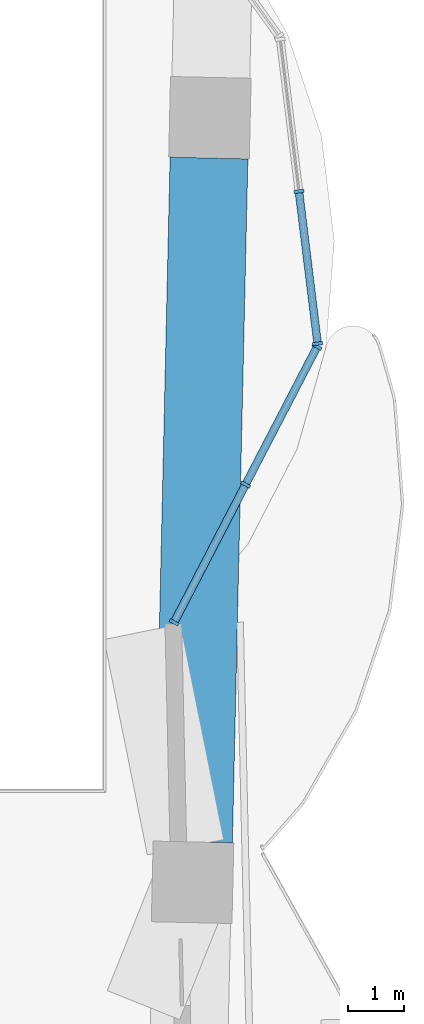
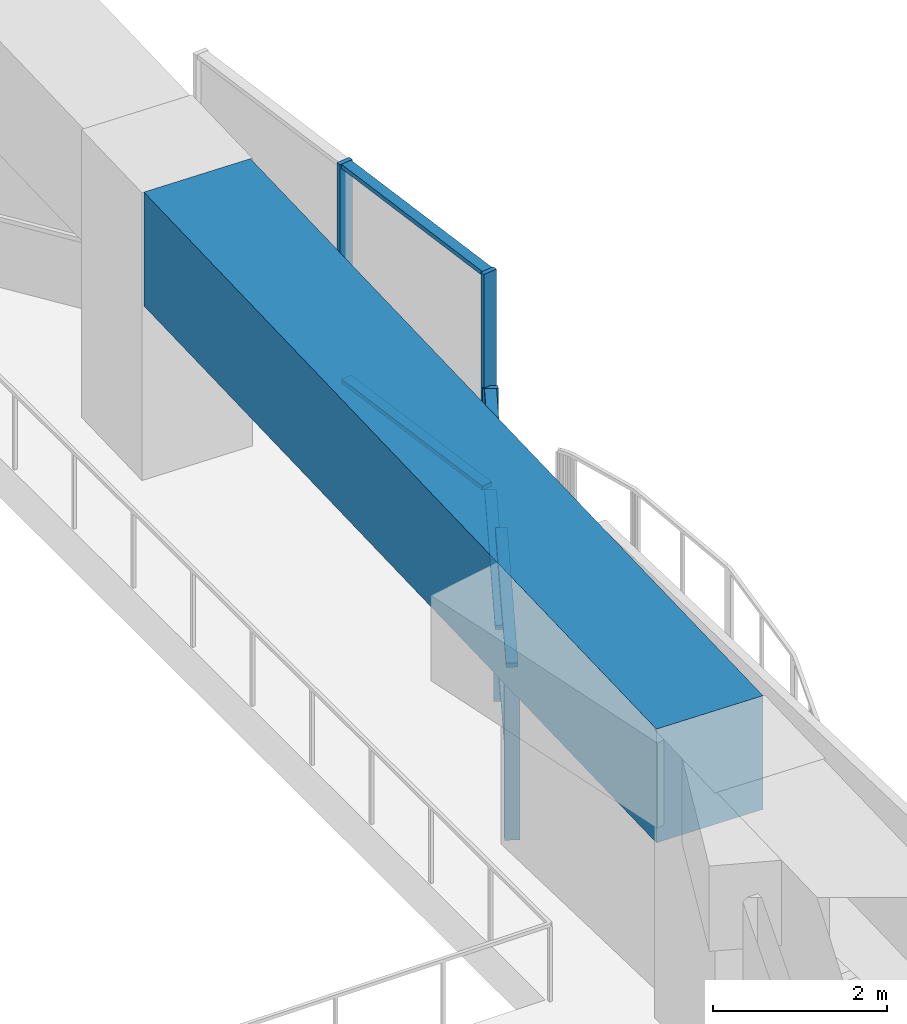
# One storey, part 4 of 20: 11 members, 1 beam, 2 elements without a shape of their own.
"""IFC4 building model written with IfcOpenShell, lengths in metres."""

import ifcopenshell
import ifcopenshell.guid

model = None  # the IFC model being written
_history = None  # IfcOwnerHistory: only IFC2X3 demands one
_inside = {}  # id of a spatial element -> (the spatial element, [elements in it])
_under = {}  # id of a project, library or spatial element -> (it, [spatial elements below it])
_declared = {}  # id of a project -> (the project, [libraries it declares])
_typed = {}  # id of a type object -> (the type object, [elements of that type])
_made_of = {}  # id of a material, layer set ... -> (it, [elements and type objects made of it])


def new_model(schema):
    """Start an empty IFC model of exactly this schema.

    Asked for "IFC4X3", IfcOpenShell would pick the latest addendum, in which some entities
    have other attributes; the version numbers below select the first issue.
    IFC2X3 requires an IfcOwnerHistory on every rooted entity: one is made here for all.
    """
    global model, _history
    if schema == "IFC4X3":
        model = ifcopenshell.file(schema_version=(4, 3, 0, 0))
    else:
        model = ifcopenshell.file(schema=schema)
    _inside.clear()
    _under.clear()
    _declared.clear()
    _typed.clear()
    _made_of.clear()
    _history = None
    if model.schema == "IFC2X3":
        org = make("IfcOrganization", Name="unknown")
        user = make(
            "IfcPersonAndOrganization",
            ThePerson=make("IfcPerson", FamilyName="unknown"),
            TheOrganization=org,
        )
        app = make(
            "IfcApplication",
            ApplicationDeveloper=org,
            Version="unknown",
            ApplicationFullName="unknown",
            ApplicationIdentifier="unknown",
        )
        _history = make(
            "IfcOwnerHistory",
            OwningUser=user,
            OwningApplication=app,
            ChangeAction="ADDED",
            CreationDate=0,
        )
    return model


def make(cls, **values):
    """One entity of the class cls with the attributes given. An attribute that is None is left unset."""
    return model.create_entity(
        cls, **{name: value for name, value in values.items() if value is not None}
    )


def rooted(cls, **values):
    """An entity with a GlobalId (a new one), such as an element, a storey or a relation."""
    return make(cls, GlobalId=ifcopenshell.guid.new(), OwnerHistory=_history, **values)


def si_unit(unit_type, name, prefix=None):
    """IfcSIUnit, for example si_unit("LENGTHUNIT", "METRE", prefix="MILLI")."""
    return make("IfcSIUnit", UnitType=unit_type, Prefix=prefix, Name=name)


def assignment(units):
    """IfcUnitAssignment: the units of a project."""
    return None if units is None else make("IfcUnitAssignment", Units=units)


def point(xyz):
    """IfcCartesianPoint."""
    return None if xyz is None else make("IfcCartesianPoint", Coordinates=xyz)


def direction(xyz):
    """IfcDirection."""
    return None if xyz is None else make("IfcDirection", DirectionRatios=xyz)


def frame(location, z_axis=None, x_axis=None):
    """IfcAxis2Placement3D, a coordinate frame: its origin and axes. An axis left out is left unset."""
    return make(
        "IfcAxis2Placement3D",
        Location=point(location),
        Axis=direction(z_axis),
        RefDirection=direction(x_axis),
    )


def frame_2d(location, x_axis=None):
    """IfcAxis2Placement2D, a coordinate frame in the plane: its origin and x axis."""
    return make(
        "IfcAxis2Placement2D", Location=point(location), RefDirection=direction(x_axis)
    )


def origin():
    """The frame at (0, 0, 0) with its axes left unset."""
    return frame((0.0, 0.0, 0.0))


def origin_2d():
    """The frame at (0, 0) in the plane with its x axis left unset."""
    return frame_2d((0.0, 0.0))


def place(relative_to, where):
    """IfcLocalPlacement: puts the frame where relative to a parent placement (None: the world)."""
    return make(
        "IfcLocalPlacement", PlacementRelTo=relative_to, RelativePlacement=where
    )


def context(
    kind, dimensions, precision=None, world=None, true_north=None, identifier=None
):
    """IfcGeometricRepresentationContext, for example the 3D "Model" context."""
    return make(
        "IfcGeometricRepresentationContext",
        ContextIdentifier=identifier,
        ContextType=kind,
        CoordinateSpaceDimension=dimensions,
        Precision=precision,
        WorldCoordinateSystem=world,
        TrueNorth=true_north,
    )


def subcontext(parent, identifier, kind, view, scale=None):
    """IfcGeometricRepresentationSubContext, for example "Body" below "Model"."""
    return make(
        "IfcGeometricRepresentationSubContext",
        ContextIdentifier=identifier,
        ContextType=kind,
        ParentContext=parent,
        TargetScale=scale,
        TargetView=view,
    )


def project(units=None, contexts=None):
    """IfcProject with its units and contexts."""
    return rooted(
        "IfcProject",
        Name="project",
        RepresentationContexts=contexts,
        UnitsInContext=assignment(units),
    )


def spatial(cls, under=None, at=None, **own):
    """A site, building, storey or space (cls), placed at a placement, below another one or the project."""
    s = rooted(cls, ObjectPlacement=at, **own)
    if under is not None:
        _under.setdefault(under.id(), (under, []))[1].append(s)
    return s


def profile(cls, at=None, kind="AREA", **sizes):
    """A parametric profile (cls). Its sizes go by their IFC names, for example OverallWidth=200.0."""
    return make(cls, ProfileType=kind, Position=at, **sizes)


def rectangle(**sizes):
    """IfcRectangleProfileDef."""
    return profile("IfcRectangleProfileDef", **sizes)


def extrude(swept, where, along, depth):
    """IfcExtrudedAreaSolid: the profile swept, set in the frame where, extruded along a direction by depth."""
    return make(
        "IfcExtrudedAreaSolid",
        SweptArea=swept,
        Position=where,
        ExtrudedDirection=direction(along),
        Depth=depth,
    )


def shape(context_of_items, identifier, shape_type, items):
    """IfcShapeRepresentation: the items that make up one representation, for example the "Body"."""
    return make(
        "IfcShapeRepresentation",
        ContextOfItems=context_of_items,
        RepresentationIdentifier=identifier,
        RepresentationType=shape_type,
        Items=items,
    )


def material(Name=None, Category=None):
    """IfcMaterial."""
    return make("IfcMaterial", Name=Name, Category=Category)


def material_profile(
    of_material, cross_section, Name=None, Category=None, Priority=None
):
    """IfcMaterialProfile: a cross section and its material."""
    return make(
        "IfcMaterialProfile",
        Name=Name,
        Material=of_material,
        Profile=cross_section,
        Priority=Priority,
        Category=Category,
    )


def profile_set(profiles, Name=None, composite=None):
    """IfcMaterialProfileSet."""
    return make(
        "IfcMaterialProfileSet",
        Name=Name,
        MaterialProfiles=profiles,
        CompositeProfile=composite,
    )


def made_of(thing, what):
    """Note that an element or type object is made of a material, layer set ...; save() writes the relation."""
    if what is not None:
        _made_of.setdefault(what.id(), (what, []))[1].append(thing)
    return thing


def type_object(cls, material=None, **own):
    """A type object (cls), such as IfcWallType, which elements share."""
    return made_of(rooted(cls, **own), material)


def element(
    cls,
    number,
    at=None,
    inside=None,
    cuts=None,
    type_object=None,
    material=None,
    context=None,
    identifier="Body",
    shape_type=None,
    held_by="IfcProductDefinitionShape",
    body=None,
    shapes=None,
    **own,
):
    """One element of the class cls, such as IfcWall. Its Tag is "e" and its number.

    at: its placement. inside: the storey or other place that contains it. cuts: it is an
    opening in that element (IfcRelVoidsElement). A single representation is given by context,
    identifier, shape_type and body (its items); several are given by shapes. held_by: the class
    of the entity that holds the representations. save() writes the other relations.
    """
    e = rooted(cls, Tag="e%d" % number, ObjectPlacement=at, **own)
    if body is not None:
        shapes = [shape(context, identifier, shape_type, body)]
    if shapes is not None:
        e.Representation = make(held_by, Representations=shapes)
    if inside is not None:
        _inside.setdefault(inside.id(), (inside, []))[1].append(e)
    if cuts is not None:
        rooted(
            "IfcRelVoidsElement", RelatingBuildingElement=cuts, RelatedOpeningElement=e
        )
    if type_object is not None:
        _typed.setdefault(type_object.id(), (type_object, []))[1].append(e)
    return made_of(e, material)


def aggregate(whole, parts):
    """IfcRelAggregates: a whole, such as a stair, and the parts it consists of."""
    return rooted("IfcRelAggregates", RelatingObject=whole, RelatedObjects=parts)


def save(model, path):
    """Write the relations noted so far, then the file.

    IfcRelAggregates (storeys below a building ...), IfcRelContainedInSpatialStructure (elements
    in a storey), IfcRelDefinesByType, IfcRelAssociatesMaterial and IfcRelDeclares: one each for
    every whole, place, type object, material and project.
    """
    for whole, parts in _under.values():
        aggregate(whole, parts)
    for where, things in _inside.values():
        rooted(
            "IfcRelContainedInSpatialStructure",
            RelatedElements=things,
            RelatingStructure=where,
        )
    for kind, things in _typed.values():
        rooted("IfcRelDefinesByType", RelatedObjects=things, RelatingType=kind)
    for what, things in _made_of.values():
        rooted("IfcRelAssociatesMaterial", RelatedObjects=things, RelatingMaterial=what)
    for by, libraries in _declared.values():
        rooted("IfcRelDeclares", RelatingContext=by, RelatedDefinitions=libraries)
    model.write(path)


model = new_model("IFC4")

# Units and contexts
model_context = context("Model", 3, precision=1e-05, world=origin(), true_north=direction((0.0, 1.0)))
body_context = subcontext(model_context, "Body", "Model", "MODEL_VIEW")
ifc_project = project(units=[si_unit("LENGTHUNIT", "METRE"), si_unit("AREAUNIT", "SQUARE_METRE"), si_unit("VOLUMEUNIT", "CUBIC_METRE"), si_unit("PLANEANGLEUNIT", "RADIAN"), si_unit("MASSUNIT", "GRAM", prefix="KILO")], contexts=[model_context])

# Site, building, storey
site_placement = place(None, origin())
site = spatial("IfcSite", under=ifc_project, at=site_placement, CompositionType="ELEMENT")
building_placement = place(site_placement, origin())
building = spatial("IfcBuilding", under=site, at=building_placement, Name="Mangrove Gate Tower", CompositionType="ELEMENT")
storey_placement = place(building_placement, frame((0.0, 0.0, 74.699951171875)))
storey = spatial("IfcBuildingStorey", under=building, at=storey_placement, Name="L18", CompositionType="ELEMENT", Elevation=74.699951171875)

# Curtain wall, members
ifc_material_1 = material(Name="Aluminium and glass curtain wall", Category="aluminium")
curtain_wall_type = type_object("IfcCurtainWallType", Name="Sky-lounge glazing wall", PredefinedType="NOTDEFINED", material=ifc_material_1)
curtain_wall_1_placement = place(storey_placement, origin())
curtain_wall_1 = element("IfcCurtainWall", 1, at=curtain_wall_1_placement, inside=storey, type_object=curtain_wall_type, Name="Sky-lounge glazing E1f1", PredefinedType="NOTDEFINED")
ifc_material_2 = material(Name="Aluminium alloy 6063-T6", Category="aluminium")
ifc_material_profile_1 = material_profile(ifc_material_2, rectangle(XDim=0.06005859375, YDim=0.179931640625, at=origin_2d()))
ifc_profile_set_1 = profile_set([ifc_material_profile_1], Name="Aluminium alloy 6063-T6")
member_type_1 = type_object("IfcMemberType", Name="Sky-lounge glazing mullion 60x180", PredefinedType="MULLION", material=ifc_profile_set_1)
member_1_placement = place(storey_placement, frame((29.947265625, -4.5029296875, 0.0), z_axis=(0.0, 0.0, 1.0), x_axis=(0.460628472605, 0.887593043137, 0.0)))
member_1 = element("IfcMember", 2, at=member_1_placement, type_object=member_type_1, Name="CWK mullion 1", PredefinedType="MULLION", context=body_context, shape_type="SweptSolid", body=[
    extrude(rectangle(XDim=0.06005859375, YDim=0.179931640625, at=origin_2d()), origin(), (0.0, 0.0, 1.0), 2.449951171875),
])
member_2_placement = place(storey_placement, frame((31.23291015625, -2.025634765625, 0.0), z_axis=(0.0, 0.0, 1.0), x_axis=(0.460628472605, 0.887593043137, 0.0)))
member_2 = element("IfcMember", 3, at=member_2_placement, type_object=member_type_1, Name="CWK mullion 2", PredefinedType="MULLION", context=body_context, shape_type="SweptSolid", body=[
    extrude(rectangle(XDim=0.06005859375, YDim=0.179931640625, at=origin_2d()), origin(), (0.0, 0.0, 1.0), 2.449951171875),
])
member_3_placement = place(storey_placement, frame((32.518310546875, 0.451416015625, 0.0), z_axis=(0.0, 0.0, 1.0), x_axis=(0.460628472605, 0.887593043137, 0.0)))
member_3 = element("IfcMember", 4, at=member_3_placement, type_object=member_type_1, Name="CWK mullion 3", PredefinedType="MULLION", context=body_context, shape_type="SweptSolid", body=[
    extrude(rectangle(XDim=0.06005859375, YDim=0.179931640625, at=origin_2d()), origin(), (0.0, 0.0, 1.0), 2.449951171875),
])

curtain_wall_2_placement = place(storey_placement, origin())
curtain_wall_2 = element("IfcCurtainWall", 5, at=curtain_wall_2_placement, inside=storey, type_object=curtain_wall_type, Name="Sky-lounge glazing E1f2", PredefinedType="NOTDEFINED")
member_4_placement = place(storey_placement, frame((32.528564453125, 0.5078125, 0.0), z_axis=(0.0, 0.0, 1.0), x_axis=(-0.122172286076, 0.992508908028, 0.0)))
member_4 = element("IfcMember", 6, at=member_4_placement, type_object=member_type_1, Name="CWK mullion 1", PredefinedType="MULLION", context=body_context, shape_type="SweptSolid", body=[
    extrude(rectangle(XDim=0.06005859375, YDim=0.179931640625, at=origin_2d()), origin(), (0.0, 0.0, 1.0), 4.050048828125),
])
member_5_placement = place(storey_placement, frame((32.19189453125, 3.243896484375, 0.0), z_axis=(0.0, 0.0, 1.0), x_axis=(-0.122172286076, 0.992508908028, 0.0)))
member_5 = element("IfcMember", 7, at=member_5_placement, type_object=member_type_1, Name="CWK mullion 2", PredefinedType="MULLION", context=body_context, shape_type="SweptSolid", body=[
    extrude(rectangle(XDim=0.06005859375, YDim=0.179931640625, at=origin_2d()), origin(), (0.0, 0.0, 1.0), 4.050048828125),
])

# Member
ifc_material_3 = material(Name="Aluminium alloy 6063-T6", Category="aluminium")
ifc_material_profile_2 = material_profile(ifc_material_3, rectangle(XDim=0.06005859375, YDim=0.139892578125, at=origin_2d()))
ifc_profile_set_2 = profile_set([ifc_material_profile_2], Name="Aluminium alloy 6063-T6")
member_type_2 = type_object("IfcMemberType", Name="Sky-lounge glazing transom 60x140", PredefinedType="USERDEFINED", material=ifc_profile_set_2)
member_6_placement = place(storey_placement, frame((29.961181640625, -4.476318359375, 1.0), z_axis=(0.460572868836, 0.887621897258, 0.0), x_axis=(0.0, 0.0, 1.0)))
member_6 = element("IfcMember", 8, at=member_6_placement, type_object=member_type_2, Name="CWK transom 1.2", ObjectType="TRANSOM", PredefinedType="USERDEFINED", context=body_context, shape_type="SweptSolid", body=[
    extrude(rectangle(XDim=0.06005859375, YDim=0.139892578125, at=origin_2d()), origin(), (0.0, 0.0, 1.0), 2.73095703125),
])

member_7_placement = place(storey_placement, frame((29.961181640625, -4.476318359375, 2.420166015625), z_axis=(0.460572868836, 0.887621897258, 0.0), x_axis=(0.0, 0.0, 1.0)))
member_7 = element("IfcMember", 9, at=member_7_placement, type_object=member_type_2, Name="CWK transom 1.3", ObjectType="TRANSOM", PredefinedType="USERDEFINED", context=body_context, shape_type="SweptSolid", body=[
    extrude(rectangle(XDim=0.06005859375, YDim=0.139892578125, at=origin_2d()), origin(), (0.0, 0.0, 1.0), 2.73095703125),
])

member_8_placement = place(storey_placement, frame((31.24658203125, -1.9990234375, 1.0), z_axis=(0.460679849709, 0.887566378403, 0.0), x_axis=(0.0, 0.0, 1.0)))
member_8 = element("IfcMember", 10, at=member_8_placement, type_object=member_type_2, Name="CWK transom 2.2", ObjectType="TRANSOM", PredefinedType="USERDEFINED", context=body_context, shape_type="SweptSolid", body=[
    extrude(rectangle(XDim=0.06005859375, YDim=0.139892578125, at=origin_2d()), origin(), (0.0, 0.0, 1.0), 2.73095703125),
])

member_9_placement = place(storey_placement, frame((31.24658203125, -1.9990234375, 2.420166015625), z_axis=(0.460679849709, 0.887566378403, 0.0), x_axis=(0.0, 0.0, 1.0)))
member_9 = element("IfcMember", 11, at=member_9_placement, type_object=member_type_2, Name="CWK transom 2.3", ObjectType="TRANSOM", PredefinedType="USERDEFINED", context=body_context, shape_type="SweptSolid", body=[
    extrude(rectangle(XDim=0.06005859375, YDim=0.139892578125, at=origin_2d()), origin(), (0.0, 0.0, 1.0), 2.73095703125),
])

aggregate(curtain_wall_1, [member_1, member_2, member_3, member_6, member_7, member_8, member_9])

member_10_placement = place(storey_placement, frame((32.52490234375, 0.53759765625, 1.0), z_axis=(-0.122129132669, 0.992514219018, 0.0), x_axis=(0.0, 0.0, 1.0)))
member_10 = element("IfcMember", 12, at=member_10_placement, type_object=member_type_2, Name="CWK transom 1.2", ObjectType="TRANSOM", PredefinedType="USERDEFINED", context=body_context, shape_type="SweptSolid", body=[
    extrude(rectangle(XDim=0.06005859375, YDim=0.139892578125, at=origin_2d()), origin(), (0.0, 0.0, 1.0), 2.69677734375),
])

member_11_placement = place(storey_placement, frame((32.52490234375, 0.53759765625, 4.02001953125), z_axis=(-0.122129132669, 0.992514219018, 0.0), x_axis=(0.0, 0.0, 1.0)))
member_11 = element("IfcMember", 13, at=member_11_placement, type_object=member_type_2, Name="CWK transom 1.3", ObjectType="TRANSOM", PredefinedType="USERDEFINED", context=body_context, shape_type="SweptSolid", body=[
    extrude(rectangle(XDim=0.06005859375, YDim=0.139892578125, at=origin_2d()), origin(), (0.0, 0.0, 1.0), 2.69677734375),
])

aggregate(curtain_wall_2, [member_4, member_5, member_10, member_11])

# Beam
ifc_material_4 = material(Name="Concrete C70/85", Category="concrete")
ifc_material_profile_3 = material_profile(ifc_material_4, rectangle(XDim=1.39990234375, YDim=1.60009765625, at=origin_2d()))
ifc_profile_set_3 = profile_set([ifc_material_profile_3], Name="Concrete C70/85")
beam_type = type_object("IfcBeamType", Name="Transfer girder RC 1400x1600 C70/85", PredefinedType="BEAM", material=ifc_profile_set_3)
beam_placement = place(storey_placement, frame((30.295654296875, -8.45263671875, 3.25), z_axis=(0.022686238453, 0.999742634174, 0.0), x_axis=(-0.999742634174, 0.022686238453, 0.0)))
element("IfcBeam", 14, at=beam_placement, inside=storey, type_object=beam_type, Name="Transfer ring girder L18 16", PredefinedType="BEAM", context=body_context, shape_type="SweptSolid", body=[
    extrude(rectangle(XDim=1.39990234375, YDim=1.60009765625, at=origin_2d()), origin(), (0.0, 0.0, 1.0), 12.300537109375),
])

save(model, "model.ifc")
